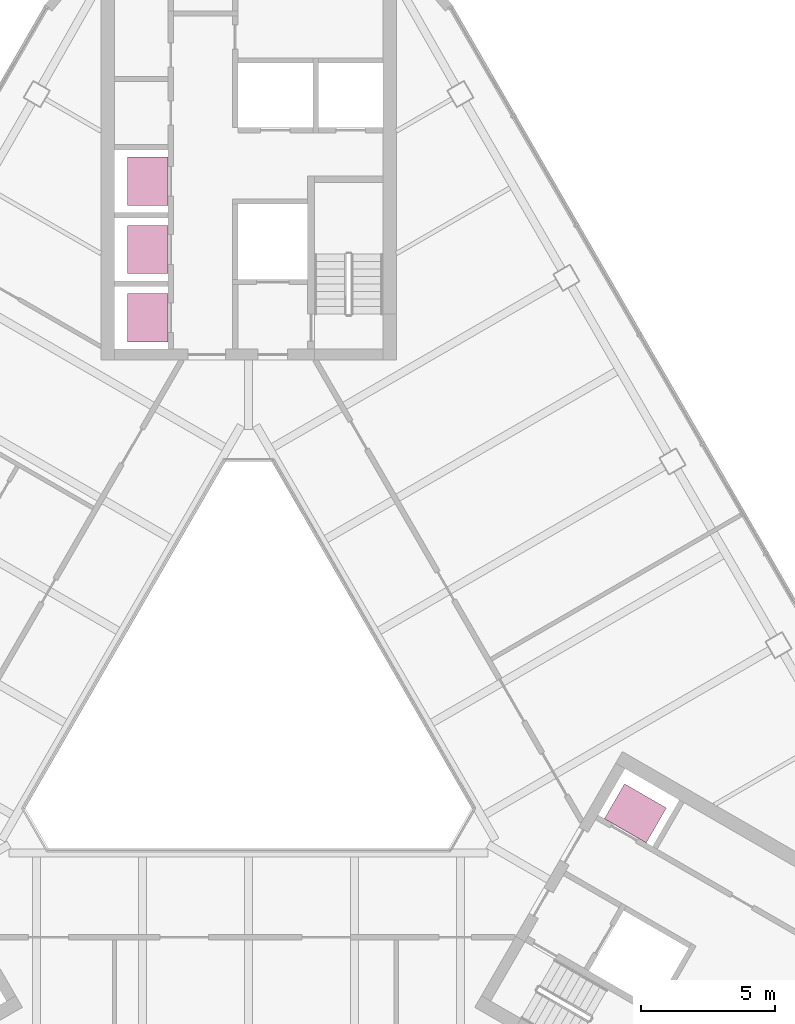
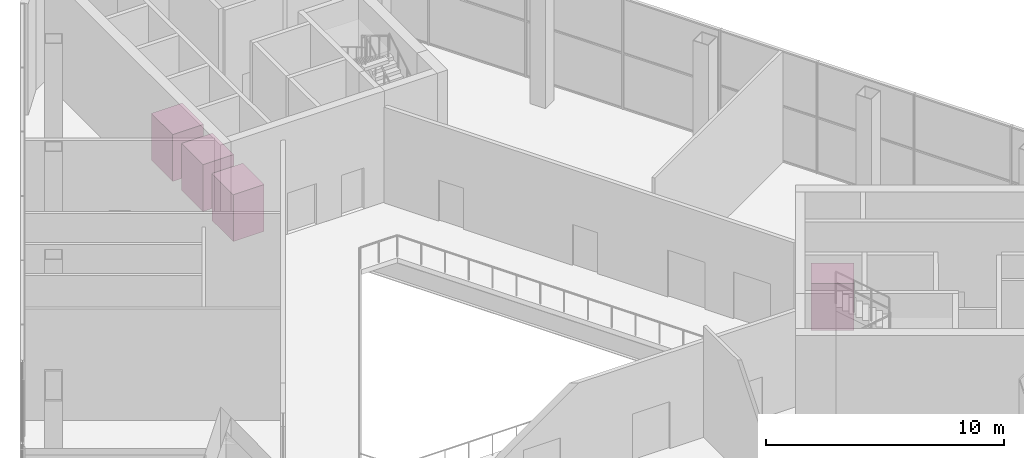
# One storey, part 14 of 14: 4 transport elements.
"""IFC4 building model written with IfcOpenShell, lengths in metres."""

from ifc_helpers import new_model, si_unit, direction, frame, origin, origin_2d, place, context, subcontext, project, spatial, rectangle, extrude, material, type_object, element, save


model = new_model("IFC4")

# Units and contexts
model_context = context("Model", 3, precision=1e-05, world=origin(), true_north=direction((0.0, 1.0)))
body_context = subcontext(model_context, "Body", "Model", "MODEL_VIEW")
ifc_project = project(units=[si_unit("LENGTHUNIT", "METRE"), si_unit("AREAUNIT", "SQUARE_METRE"), si_unit("VOLUMEUNIT", "CUBIC_METRE"), si_unit("PLANEANGLEUNIT", "RADIAN"), si_unit("MASSUNIT", "GRAM", prefix="KILO")], contexts=[model_context])

# Site, building, storey
site_placement = place(None, origin())
site = spatial("IfcSite", under=ifc_project, at=site_placement, CompositionType="ELEMENT")
building_placement = place(site_placement, origin())
building = spatial("IfcBuilding", under=site, at=building_placement, Name="Apuvela Tower Hotel", CompositionType="ELEMENT")
storey_placement = place(building_placement, frame((0.0, 0.0, 231.699951171875)))
storey = spatial("IfcBuildingStorey", under=building, at=storey_placement, Name="L57", CompositionType="ELEMENT", Elevation=231.699951171875)

# Transport elements
ifc_material = material(Name="Stainless steel car lining", Category="steel")
transport_element_type = type_object("IfcTransportElementType", Name="COR-LIFT-1350", PredefinedType="ELEVATOR", material=ifc_material)
for number, where, z_axis, x_axis, name in (
    (1, (-3.75, 14.469970703125, 0.0), (0.0, 0.0, 1.0), (0.0, 1.0, 0.0), "High-rise passenger lift HR1"),
    (2, (-3.75, 17.010009765625, 0.0), (0.0, 0.0, 1.0), (0.0, 1.0, 0.0), "High-rise passenger lift HR2"),
    (3, (-3.75, 19.550048828125, 0.0), (0.0, 0.0, 1.0), (0.0, 1.0, 0.0), "High-rise passenger lift HR4"),
    (4, (14.406494140625, -3.9873046875, 0.0), (0.0, 0.0, 1.0), (0.866025403784, -0.5, 0.0), "High-rise passenger lift HR3"),
):
    element("IfcTransportElement", number, at=place(storey_placement, frame(where, z_axis=z_axis, x_axis=x_axis)), inside=storey, type_object=transport_element_type, Name=name, PredefinedType="ELEVATOR", context=body_context, shape_type="SweptSolid", body=[
        extrude(rectangle(XDim=1.800048828125, YDim=1.5, at=origin_2d()), origin(), (0.0, 0.0, 1.0), 2.39990234375),
    ])

save(model, "model.ifc")
